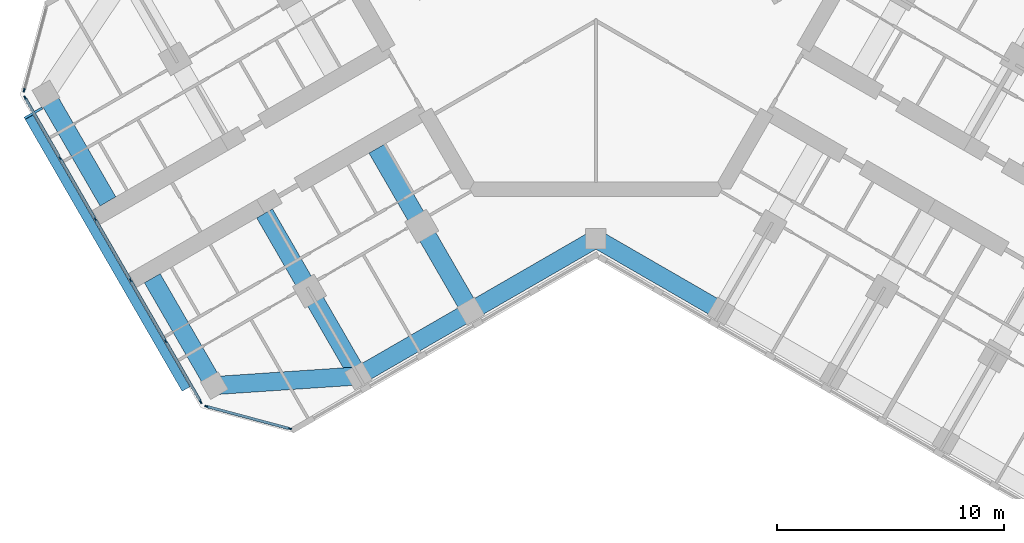
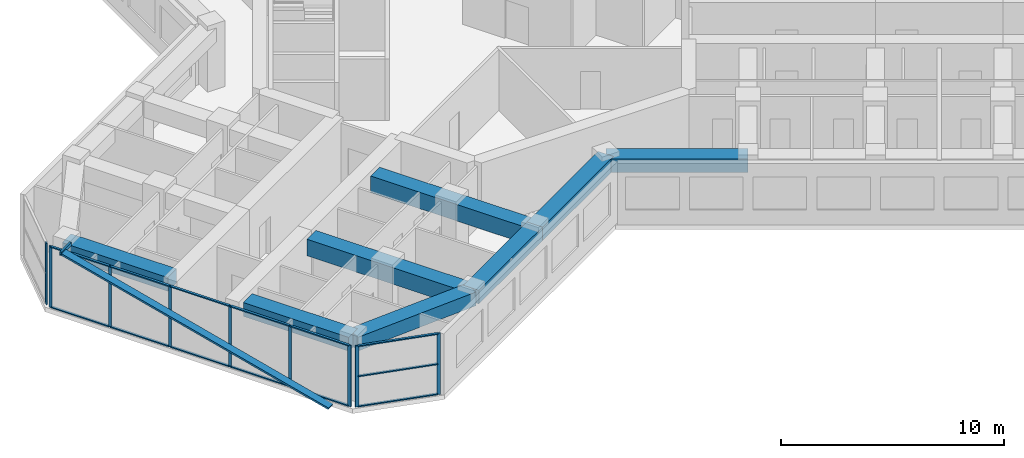
# One storey, part 2 of 16: 24 members, 8 beams, 3 elements without a shape of their own.
"""IFC4 building model written with IfcOpenShell, lengths in metres."""

from ifc_helpers import new_model, si_unit, direction, frame, origin, origin_2d, place, context, subcontext, project, spatial, rectangle, hollow_rectangle, extrude, material, material_profile, profile_set, type_object, element, aggregate, save


model = new_model("IFC4")

# Units and contexts
model_context = context("Model", 3, precision=1e-05, world=origin(), true_north=direction((0.0, 1.0)))
body_context = subcontext(model_context, "Body", "Model", "MODEL_VIEW")
ifc_project = project(units=[si_unit("LENGTHUNIT", "METRE"), si_unit("AREAUNIT", "SQUARE_METRE"), si_unit("VOLUMEUNIT", "CUBIC_METRE"), si_unit("PLANEANGLEUNIT", "RADIAN"), si_unit("MASSUNIT", "GRAM", prefix="KILO")], contexts=[model_context])

# Site, building, storey
site_placement = place(None, origin())
site = spatial("IfcSite", under=ifc_project, at=site_placement, CompositionType="ELEMENT")
building_placement = place(site_placement, origin())
building = spatial("IfcBuilding", under=site, at=building_placement, Name="Kosmar Iwan School Tower", CompositionType="ELEMENT")
storey_placement = place(building_placement, frame((0.0, 0.0, 211.800048828125)))
storey = spatial("IfcBuildingStorey", under=building, at=storey_placement, Name="L53", CompositionType="ELEMENT", Elevation=211.800048828125)

# Members
ifc_material_1 = material(Name="Black anodised aluminium", Category="aluminium")
ifc_material_profile_1 = material_profile(ifc_material_1, rectangle(XDim=0.10009765625, YDim=0.39990234375, at=origin_2d()), Name="FIN 100x400")
ifc_profile_set_1 = profile_set([ifc_material_profile_1], Name="Black anodised aluminium")
member_type_1 = type_object("IfcMemberType", Name="Diagonal fin 100x400", PredefinedType="USERDEFINED", material=ifc_profile_set_1)
member_1_placement = place(storey_placement, frame((-18.0283203125, -18.3740234375, -0.150146484375), z_axis=(-0.483800388566, 0.837965217343, 0.2524905514), x_axis=(0.126245460598, -0.218663124976, 0.96759935999)))
element("IfcMember", 1, at=member_1_placement, inside=storey, type_object=member_type_1, Name="Diagonal fin L53-F11", ObjectType="FIN", PredefinedType="USERDEFINED", context=body_context, shape_type="SweptSolid", body=[
    extrude(rectangle(XDim=0.10009765625, YDim=0.39990234375, at=origin_2d()), origin(), (0.0, 0.0, 1.0), 14.25830078125),
])
ifc_material_2 = material(Name="Steel S355", Category="steel")
ifc_material_profile_2 = material_profile(ifc_material_2, hollow_rectangle(XDim=0.10009765625, YDim=0.199951171875, WallThickness=0.008056640625, at=origin_2d()), Name="RHS 200x100x8")
ifc_profile_set_2 = profile_set([ifc_material_profile_2], Name="Steel S355")
member_type_2 = type_object("IfcMemberType", Name="Fin bracket RHS 200x100", PredefinedType="USERDEFINED", material=ifc_profile_set_2)
member_2_placement = place(storey_placement, frame((-24.34619140625, -6.031005859375, 3.474853515625), z_axis=(-0.865964261186, -0.500105887137, 0.0), x_axis=(0.500105887137, -0.865964261186, 0.0)))
element("IfcMember", 2, at=member_2_placement, inside=storey, type_object=member_type_2, Name="Fin bracket L54", ObjectType="FIN BRACKET", PredefinedType="USERDEFINED", context=body_context, shape_type="SweptSolid", body=[
    extrude(hollow_rectangle(XDim=0.10009765625, YDim=0.199951171875, WallThickness=0.008056640625, at=origin_2d()), origin(), (0.0, 0.0, 1.0), 0.900146484375),
])

# Curtain wall, member
ifc_material_3 = material(Name="Dark glass in black aluminium frame", Category="aluminium")
curtain_wall_type_1 = type_object("IfcCurtainWallType", Name="Chamfer curtain wall dark glass", PredefinedType="USERDEFINED", material=ifc_material_3)
curtain_wall_1_placement = place(storey_placement, origin())
curtain_wall_1 = element("IfcCurtainWall", 3, at=curtain_wall_1_placement, inside=storey, type_object=curtain_wall_type_1, Name="Curtain wall L53-F10", ObjectType="FACETED CURTAIN WALL", PredefinedType="USERDEFINED")
ifc_material_4 = material(Name="Black anodised aluminium", Category="aluminium")
ifc_material_profile_3 = material_profile(ifc_material_4, rectangle(XDim=0.06005859375, YDim=0.159912109375, at=origin_2d()), Name="MULLION 60x160")
ifc_profile_set_3 = profile_set([ifc_material_profile_3], Name="Black anodised aluminium")
member_type_3 = type_object("IfcMemberType", Name="Mullion 60x160", PredefinedType="MULLION", material=ifc_profile_set_3)
member_3_placement = place(storey_placement, frame((-25.141845703125, -5.24853515625, 0.0), z_axis=(0.0, 0.0, 1.0), x_axis=(0.965925875495, -0.258818861462, 0.0)))
member_3 = element("IfcMember", 4, at=member_3_placement, type_object=member_type_3, Name="CW2 mullion 2", PredefinedType="MULLION", context=body_context, shape_type="SweptSolid", body=[
    extrude(rectangle(XDim=0.06005859375, YDim=0.159912109375, at=origin_2d()), origin(), (0.0, 0.0, 1.0), 3.349853515625),
])
aggregate(curtain_wall_1, [member_3])

# Curtain wall, members
ifc_material_5 = material(Name="Dark glass in black aluminium frame", Category="aluminium")
curtain_wall_type_2 = type_object("IfcCurtainWallType", Name="Tower curtain wall dark glass", PredefinedType="USERDEFINED", material=ifc_material_5)
curtain_wall_2_placement = place(storey_placement, origin())
curtain_wall_2 = element("IfcCurtainWall", 5, at=curtain_wall_2_placement, inside=storey, type_object=curtain_wall_type_2, Name="Curtain wall L53-F11", ObjectType="UNITISED CURTAIN WALL", PredefinedType="USERDEFINED")
member_4_placement = place(storey_placement, frame((-25.098388671875, -5.578369140625, 0.0), z_axis=(0.0, 0.0, 1.0), x_axis=(0.866025405329, 0.499999997325, 0.0)))
member_4 = element("IfcMember", 6, at=member_4_placement, type_object=member_type_3, Name="CW1 mullion 1", PredefinedType="MULLION", context=body_context, shape_type="SweptSolid", body=[
    extrude(rectangle(XDim=0.06005859375, YDim=0.159912109375, at=origin_2d()), origin(), (0.0, 0.0, 1.0), 3.349853515625),
])
member_5_placement = place(storey_placement, frame((-23.563720703125, -8.236328125, 0.0), z_axis=(0.0, 0.0, 1.0), x_axis=(0.866025405329, 0.499999997325, 0.0)))
member_5 = element("IfcMember", 7, at=member_5_placement, type_object=member_type_3, Name="CW1 mullion 2", PredefinedType="MULLION", context=body_context, shape_type="SweptSolid", body=[
    extrude(rectangle(XDim=0.06005859375, YDim=0.159912109375, at=origin_2d()), origin(), (0.0, 0.0, 1.0), 3.349853515625),
])
member_6_placement = place(storey_placement, frame((-22.01416015625, -10.92041015625, 0.0), z_axis=(0.0, 0.0, 1.0), x_axis=(0.866025405329, 0.499999997325, 0.0)))
member_6 = element("IfcMember", 8, at=member_6_placement, type_object=member_type_3, Name="CW1 mullion 3", PredefinedType="MULLION", context=body_context, shape_type="SweptSolid", body=[
    extrude(rectangle(XDim=0.06005859375, YDim=0.159912109375, at=origin_2d()), origin(), (0.0, 0.0, 1.0), 3.349853515625),
])
member_7_placement = place(storey_placement, frame((-20.46435546875, -13.6044921875, 0.0), z_axis=(0.0, 0.0, 1.0), x_axis=(0.866025405329, 0.499999997325, 0.0)))
member_7 = element("IfcMember", 9, at=member_7_placement, type_object=member_type_3, Name="CW1 mullion 4", PredefinedType="MULLION", context=body_context, shape_type="SweptSolid", body=[
    extrude(rectangle(XDim=0.06005859375, YDim=0.159912109375, at=origin_2d()), origin(), (0.0, 0.0, 1.0), 3.349853515625),
])
member_8_placement = place(storey_placement, frame((-18.914794921875, -16.28857421875, 0.0), z_axis=(0.0, 0.0, 1.0), x_axis=(0.866025405329, 0.499999997325, 0.0)))
member_8 = element("IfcMember", 10, at=member_8_placement, type_object=member_type_3, Name="CW1 mullion 5", PredefinedType="MULLION", context=body_context, shape_type="SweptSolid", body=[
    extrude(rectangle(XDim=0.06005859375, YDim=0.159912109375, at=origin_2d()), origin(), (0.0, 0.0, 1.0), 3.349853515625),
])
member_9_placement = place(storey_placement, frame((-17.380126953125, -18.94677734375, 0.0), z_axis=(0.0, 0.0, 1.0), x_axis=(0.866025405329, 0.499999997325, 0.0)))
member_9 = element("IfcMember", 11, at=member_9_placement, type_object=member_type_3, Name="CW1 mullion 6", PredefinedType="MULLION", context=body_context, shape_type="SweptSolid", body=[
    extrude(rectangle(XDim=0.06005859375, YDim=0.159912109375, at=origin_2d()), origin(), (0.0, 0.0, 1.0), 3.349853515625),
])

curtain_wall_3_placement = place(storey_placement, origin())
curtain_wall_3 = element("IfcCurtainWall", 12, at=curtain_wall_3_placement, inside=storey, type_object=curtain_wall_type_1, Name="Curtain wall L53-F12", ObjectType="FACETED CURTAIN WALL", PredefinedType="USERDEFINED")
member_10_placement = place(storey_placement, frame((-17.1162109375, -19.149169921875, 0.0), z_axis=(0.0, 0.0, 1.0), x_axis=(0.258818861462, 0.965925875495, 0.0)))
member_10 = element("IfcMember", 13, at=member_10_placement, type_object=member_type_3, Name="CW2 mullion 1", PredefinedType="MULLION", context=body_context, shape_type="SweptSolid", body=[
    extrude(rectangle(XDim=0.06005859375, YDim=0.159912109375, at=origin_2d()), origin(), (0.0, 0.0, 1.0), 3.349853515625),
])
member_11_placement = place(storey_placement, frame((-13.466064453125, -20.127197265625, 0.0), z_axis=(0.0, 0.0, 1.0), x_axis=(0.258818861462, 0.965925875495, 0.0)))
member_11 = element("IfcMember", 14, at=member_11_placement, type_object=member_type_3, Name="CW2 mullion 2", PredefinedType="MULLION", context=body_context, shape_type="SweptSolid", body=[
    extrude(rectangle(XDim=0.06005859375, YDim=0.159912109375, at=origin_2d()), origin(), (0.0, 0.0, 1.0), 3.349853515625),
])

# Beams
ifc_material_6 = material(Name="Concrete C50/60", Category="concrete")
ifc_material_profile_4 = material_profile(ifc_material_6, rectangle(XDim=0.800048828125, YDim=0.75, at=origin_2d()), Name="RC 800x750")
ifc_profile_set_4 = profile_set([ifc_material_profile_4], Name="Concrete C50/60")
beam_type_1 = type_object("IfcBeamType", Name="RC edge beam 800x750", PredefinedType="BEAM", material=ifc_profile_set_4)
beam_1_placement = place(storey_placement, frame((0.0, -11.77783203125, 2.974853515625), z_axis=(-0.866014293216, -0.500019243575, 0.0), x_axis=(0.500019243575, -0.866014293216, 0.0)))
element("IfcBeam", 15, at=beam_1_placement, inside=storey, type_object=beam_type_1, Name="Edge beam BL1", PredefinedType="BEAM", context=body_context, shape_type="SweptSolid", body=[
    extrude(rectangle(XDim=0.800048828125, YDim=0.75, at=origin_2d()), origin(), (0.0, 0.0, 1.0), 6.361083984375),
])
beam_2_placement = place(storey_placement, frame((-5.5087890625, -14.95849609375, 2.974853515625), z_axis=(-0.866033658841, -0.49998570155, 0.0), x_axis=(0.49998570155, -0.866033658841, 0.0)))
element("IfcBeam", 16, at=beam_2_placement, inside=storey, type_object=beam_type_1, Name="Edge beam BL2", PredefinedType="BEAM", context=body_context, shape_type="SweptSolid", body=[
    extrude(rectangle(XDim=0.800048828125, YDim=0.75, at=origin_2d()), origin(), (0.0, 0.0, 1.0), 5.699951171875),
])
beam_3_placement = place(storey_placement, frame((0.0, -11.77783203125, 2.974853515625), z_axis=(0.866014293216, -0.500019243575, 0.0), x_axis=(0.500019243575, 0.866014293216, 0.0)))
element("IfcBeam", 17, at=beam_3_placement, inside=storey, type_object=beam_type_1, Name="Edge beam CR1", PredefinedType="BEAM", context=body_context, shape_type="SweptSolid", body=[
    extrude(rectangle(XDim=0.800048828125, YDim=0.75, at=origin_2d()), origin(), (0.0, 0.0, 1.0), 6.361083984375),
])
ifc_material_7 = material(Name="Concrete C50/60", Category="concrete")
ifc_material_profile_5 = material_profile(ifc_material_7, rectangle(XDim=0.800048828125, YDim=0.75, at=origin_2d()), Name="RC 800x750")
ifc_profile_set_5 = profile_set([ifc_material_profile_5], Name="Concrete C50/60")
beam_type_2 = type_object("IfcBeamType", Name="RC tip beam 800x750", PredefinedType="BEAM", material=ifc_profile_set_5)
beam_4_placement = place(storey_placement, frame((-10.445068359375, -17.808349609375, 2.974853515625), z_axis=(-0.997755118724, -0.066968074933, 0.0), x_axis=(0.066968074933, -0.997755118724, 0.0)))
element("IfcBeam", 18, at=beam_4_placement, inside=storey, type_object=beam_type_2, Name="Tip beam BL", PredefinedType="BEAM", context=body_context, shape_type="SweptSolid", body=[
    extrude(rectangle(XDim=0.800048828125, YDim=0.75, at=origin_2d()), origin(), (0.0, 0.0, 1.0), 6.3505859375),
])
beam_5_placement = place(storey_placement, frame((-16.781494140625, -18.233642578125, 2.974853515625), z_axis=(-0.500002931134, 0.866023711487, 0.0), x_axis=(-0.866023711487, -0.500002931134, 0.0)))
element("IfcBeam", 19, at=beam_5_placement, inside=storey, type_object=beam_type_2, Name="Tip beam BL to corridor wall", PredefinedType="BEAM", context=body_context, shape_type="SweptSolid", body=[
    extrude(rectangle(XDim=0.800048828125, YDim=0.75, at=origin_2d()), origin(), (0.0, 0.0, 1.0), 5.4501953125),
])
beam_6_placement = place(storey_placement, frame((-24.181396484375, -5.41650390625, 2.974853515625), z_axis=(0.499988730927, -0.866031909889, 0.0), x_axis=(0.866031909889, 0.499988730927, 0.0)))
element("IfcBeam", 20, at=beam_6_placement, inside=storey, type_object=beam_type_2, Name="Tip beam BR to corridor wall", PredefinedType="BEAM", context=body_context, shape_type="SweptSolid", body=[
    extrude(rectangle(XDim=0.800048828125, YDim=0.75, at=origin_2d()), origin(), (0.0, 0.0, 1.0), 5.449951171875),
])
ifc_material_8 = material(Name="Concrete C50/60", Category="concrete")
ifc_material_profile_6 = material_profile(ifc_material_8, rectangle(XDim=0.800048828125, YDim=0.89990234375, at=origin_2d()), Name="RC 800x900")
ifc_profile_set_6 = profile_set([ifc_material_profile_6], Name="Concrete C50/60")
beam_type_3 = type_object("IfcBeamType", Name="RC transverse beam 800x900", PredefinedType="BEAM", material=ifc_profile_set_6)
beam_7_placement = place(storey_placement, frame((-5.5087890625, -14.95849609375, 2.89990234375), z_axis=(-0.499996545922, 0.866027397988, 0.0), x_axis=(-0.866027397988, -0.499996545922, 0.0)))
element("IfcBeam", 21, at=beam_7_placement, inside=storey, type_object=beam_type_3, Name="Transverse beam BL1", PredefinedType="BEAM", context=body_context, shape_type="SweptSolid", body=[
    extrude(rectangle(XDim=0.800048828125, YDim=0.89990234375, at=origin_2d()), origin(), (0.0, 0.0, 1.0), 8.25),
])
beam_8_placement = place(storey_placement, frame((-10.445068359375, -17.808349609375, 2.89990234375), z_axis=(-0.500009360108, 0.866019999656, 0.0), x_axis=(-0.866019999656, -0.500009360108, 0.0)))
element("IfcBeam", 22, at=beam_8_placement, inside=storey, type_object=beam_type_3, Name="Transverse beam BL2", PredefinedType="BEAM", context=body_context, shape_type="SweptSolid", body=[
    extrude(rectangle(XDim=0.800048828125, YDim=0.89990234375, at=origin_2d()), origin(), (0.0, 0.0, 1.0), 8.249755859375),
])

# Member
ifc_material_9 = material(Name="Black anodised aluminium", Category="aluminium")
ifc_material_profile_7 = material_profile(ifc_material_9, rectangle(XDim=0.1201171875, YDim=0.06005859375, at=origin_2d()), Name="TRANSOM 60x120")
ifc_profile_set_7 = profile_set([ifc_material_profile_7], Name="Black anodised aluminium")
member_type_4 = type_object("IfcMemberType", Name="Transom 60x120", PredefinedType="USERDEFINED", material=ifc_profile_set_7)
member_12_placement = place(storey_placement, frame((-25.08349609375, -5.604248046875, 0.030029296875), z_axis=(0.499986971506, -0.866032925658, 0.0), x_axis=(0.866032925658, 0.499986971506, 0.0)))
member_12 = element("IfcMember", 23, at=member_12_placement, type_object=member_type_4, Name="CW1 transom 1.1", ObjectType="TRANSOM", PredefinedType="USERDEFINED", context=body_context, shape_type="SweptSolid", body=[
    extrude(rectangle(XDim=0.1201171875, YDim=0.06005859375, at=origin_2d()), origin(), (0.0, 0.0, 1.0), 3.00927734375),
])

member_13_placement = place(storey_placement, frame((-25.08349609375, -5.604248046875, 3.320068359375), z_axis=(0.499986971506, -0.866032925658, 0.0), x_axis=(0.866032925658, 0.499986971506, 0.0)))
member_13 = element("IfcMember", 24, at=member_13_placement, type_object=member_type_4, Name="CW1 transom 1.2", ObjectType="TRANSOM", PredefinedType="USERDEFINED", context=body_context, shape_type="SweptSolid", body=[
    extrude(rectangle(XDim=0.1201171875, YDim=0.06005859375, at=origin_2d()), origin(), (0.0, 0.0, 1.0), 3.00927734375),
])

member_14_placement = place(storey_placement, frame((-23.548828125, -8.262451171875, 0.030029296875), z_axis=(0.500035348339, -0.866004994449, 0.0), x_axis=(0.866004994449, 0.500035348339, 0.0)))
member_14 = element("IfcMember", 25, at=member_14_placement, type_object=member_type_4, Name="CW1 transom 2.1", ObjectType="TRANSOM", PredefinedType="USERDEFINED", context=body_context, shape_type="SweptSolid", body=[
    extrude(rectangle(XDim=0.1201171875, YDim=0.06005859375, at=origin_2d()), origin(), (0.0, 0.0, 1.0), 3.039306640625),
])

member_15_placement = place(storey_placement, frame((-23.548828125, -8.262451171875, 3.320068359375), z_axis=(0.500035348339, -0.866004994449, 0.0), x_axis=(0.866004994449, 0.500035348339, 0.0)))
member_15 = element("IfcMember", 26, at=member_15_placement, type_object=member_type_4, Name="CW1 transom 2.2", ObjectType="TRANSOM", PredefinedType="USERDEFINED", context=body_context, shape_type="SweptSolid", body=[
    extrude(rectangle(XDim=0.1201171875, YDim=0.06005859375, at=origin_2d()), origin(), (0.0, 0.0, 1.0), 3.039306640625),
])

member_16_placement = place(storey_placement, frame((-21.9990234375, -10.946533203125, 0.030029296875), z_axis=(0.499975102327, -0.866039777986, 0.0), x_axis=(0.866039777986, 0.499975102327, 0.0)))
member_16 = element("IfcMember", 27, at=member_16_placement, type_object=member_type_4, Name="CW1 transom 3.1", ObjectType="TRANSOM", PredefinedType="USERDEFINED", context=body_context, shape_type="SweptSolid", body=[
    extrude(rectangle(XDim=0.1201171875, YDim=0.06005859375, at=origin_2d()), origin(), (0.0, 0.0, 1.0), 3.039306640625),
])

member_17_placement = place(storey_placement, frame((-21.9990234375, -10.946533203125, 3.320068359375), z_axis=(0.499975102327, -0.866039777986, 0.0), x_axis=(0.866039777986, 0.499975102327, 0.0)))
member_17 = element("IfcMember", 28, at=member_17_placement, type_object=member_type_4, Name="CW1 transom 3.2", ObjectType="TRANSOM", PredefinedType="USERDEFINED", context=body_context, shape_type="SweptSolid", body=[
    extrude(rectangle(XDim=0.1201171875, YDim=0.06005859375, at=origin_2d()), origin(), (0.0, 0.0, 1.0), 3.039306640625),
])

member_18_placement = place(storey_placement, frame((-20.449462890625, -13.630615234375, 0.030029296875), z_axis=(0.500035348339, -0.866004994449, 0.0), x_axis=(0.866004994449, 0.500035348339, 0.0)))
member_18 = element("IfcMember", 29, at=member_18_placement, type_object=member_type_4, Name="CW1 transom 4.1", ObjectType="TRANSOM", PredefinedType="USERDEFINED", context=body_context, shape_type="SweptSolid", body=[
    extrude(rectangle(XDim=0.1201171875, YDim=0.06005859375, at=origin_2d()), origin(), (0.0, 0.0, 1.0), 3.039306640625),
])

member_19_placement = place(storey_placement, frame((-20.449462890625, -13.630615234375, 3.320068359375), z_axis=(0.500035348339, -0.866004994449, 0.0), x_axis=(0.866004994449, 0.500035348339, 0.0)))
member_19 = element("IfcMember", 30, at=member_19_placement, type_object=member_type_4, Name="CW1 transom 4.2", ObjectType="TRANSOM", PredefinedType="USERDEFINED", context=body_context, shape_type="SweptSolid", body=[
    extrude(rectangle(XDim=0.1201171875, YDim=0.06005859375, at=origin_2d()), origin(), (0.0, 0.0, 1.0), 3.039306640625),
])

member_20_placement = place(storey_placement, frame((-18.89990234375, -16.314697265625, 0.030029296875), z_axis=(0.500022102064, -0.866012642776, 0.0), x_axis=(0.866012642776, 0.500022102064, 0.0)))
member_20 = element("IfcMember", 31, at=member_20_placement, type_object=member_type_4, Name="CW1 transom 5.1", ObjectType="TRANSOM", PredefinedType="USERDEFINED", context=body_context, shape_type="SweptSolid", body=[
    extrude(rectangle(XDim=0.1201171875, YDim=0.06005859375, at=origin_2d()), origin(), (0.0, 0.0, 1.0), 3.009033203125),
])

member_21_placement = place(storey_placement, frame((-18.89990234375, -16.314697265625, 3.320068359375), z_axis=(0.500022102064, -0.866012642776, 0.0), x_axis=(0.866012642776, 0.500022102064, 0.0)))
member_21 = element("IfcMember", 32, at=member_21_placement, type_object=member_type_4, Name="CW1 transom 5.2", ObjectType="TRANSOM", PredefinedType="USERDEFINED", context=body_context, shape_type="SweptSolid", body=[
    extrude(rectangle(XDim=0.1201171875, YDim=0.06005859375, at=origin_2d()), origin(), (0.0, 0.0, 1.0), 3.009033203125),
])

aggregate(curtain_wall_2, [member_4, member_5, member_6, member_7, member_8, member_9, member_12, member_13, member_14, member_15, member_16, member_17, member_18, member_19, member_20, member_21])

member_22_placement = place(storey_placement, frame((-17.08740234375, -19.156982421875, 0.030029296875), z_axis=(0.965940141052, -0.258765615768, 0.0), x_axis=(0.258765615768, 0.965940141052, 0.0)))
member_22 = element("IfcMember", 33, at=member_22_placement, type_object=member_type_4, Name="CW2 transom 1.1", ObjectType="TRANSOM", PredefinedType="USERDEFINED", context=body_context, shape_type="SweptSolid", body=[
    extrude(rectangle(XDim=0.1201171875, YDim=0.06005859375, at=origin_2d()), origin(), (0.0, 0.0, 1.0), 3.71923828125),
])

member_23_placement = place(storey_placement, frame((-17.08740234375, -19.156982421875, 1.675048828125), z_axis=(0.965940141052, -0.258765615768, 0.0), x_axis=(0.258765615768, 0.965940141052, 0.0)))
member_23 = element("IfcMember", 34, at=member_23_placement, type_object=member_type_4, Name="CW2 transom 1.2", ObjectType="TRANSOM", PredefinedType="USERDEFINED", context=body_context, shape_type="SweptSolid", body=[
    extrude(rectangle(XDim=0.1201171875, YDim=0.06005859375, at=origin_2d()), origin(), (0.0, 0.0, 1.0), 3.71923828125),
])

member_24_placement = place(storey_placement, frame((-17.08740234375, -19.156982421875, 3.320068359375), z_axis=(0.965940141052, -0.258765615768, 0.0), x_axis=(0.258765615768, 0.965940141052, 0.0)))
member_24 = element("IfcMember", 35, at=member_24_placement, type_object=member_type_4, Name="CW2 transom 1.3", ObjectType="TRANSOM", PredefinedType="USERDEFINED", context=body_context, shape_type="SweptSolid", body=[
    extrude(rectangle(XDim=0.1201171875, YDim=0.06005859375, at=origin_2d()), origin(), (0.0, 0.0, 1.0), 3.71923828125),
])

aggregate(curtain_wall_3, [member_10, member_11, member_22, member_23, member_24])

save(model, "model.ifc")
